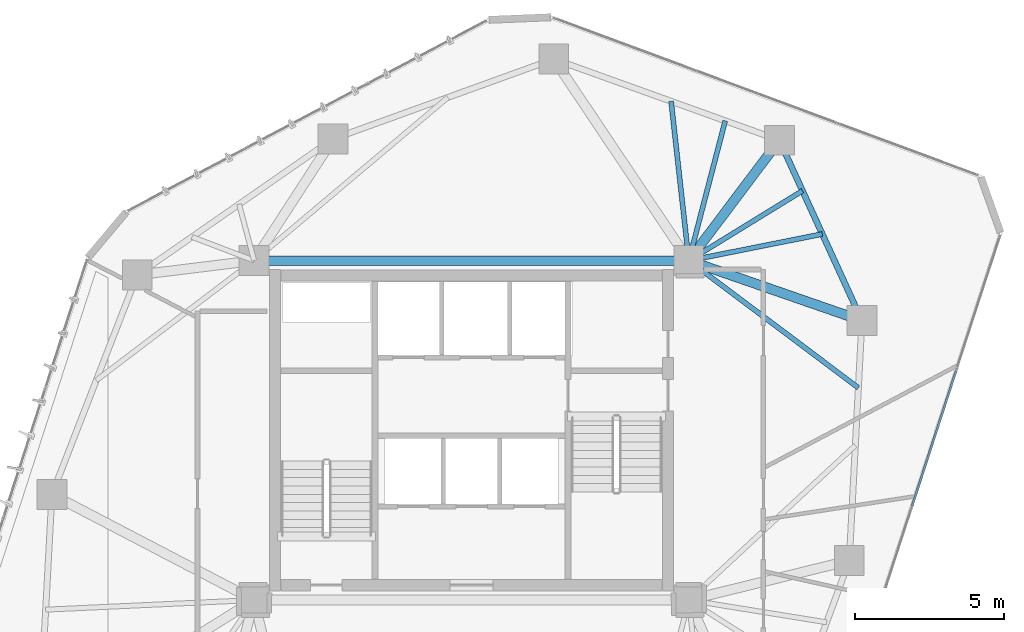
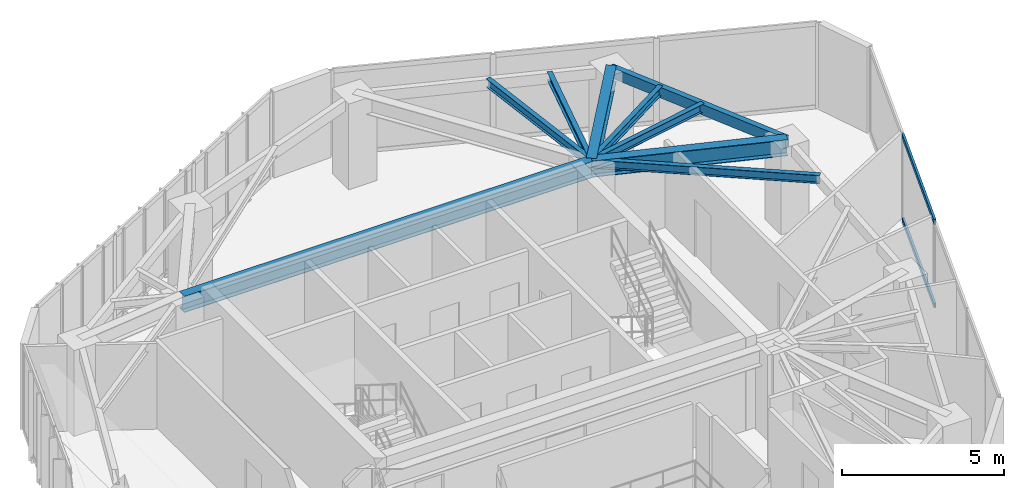
# One storey, part 11 of 19: 9 beams, 2 members, 1 element without a shape of its own.
"""IFC4 building model written with IfcOpenShell, lengths in metres."""

from ifc_helpers import new_model, si_unit, direction, frame, origin, origin_2d, place, context, subcontext, project, spatial, hollow_rectangle, i_section, extrude, source, transform, mapped, material, layer, layer_set, material_profile, profile_set, type_object, type_shapes, element, aggregate, save


model = new_model("IFC4")

# Units and contexts
model_context = context("Model", 3, precision=1e-05, world=origin(), true_north=direction((0.0, 1.0)))
body_context = subcontext(model_context, "Body", "Model", "MODEL_VIEW")
ifc_project = project(units=[si_unit("LENGTHUNIT", "METRE"), si_unit("AREAUNIT", "SQUARE_METRE"), si_unit("VOLUMEUNIT", "CUBIC_METRE"), si_unit("PLANEANGLEUNIT", "RADIAN"), si_unit("MASSUNIT", "GRAM", prefix="KILO")], contexts=[model_context])

# Site, building, storey
site_placement = place(None, origin())
site = spatial("IfcSite", under=ifc_project, at=site_placement, CompositionType="ELEMENT")
building_placement = place(site_placement, origin())
building = spatial("IfcBuilding", under=site, at=building_placement, Name="Talar Marvaseh", CompositionType="ELEMENT")
storey_placement = place(building_placement, frame((0.0, 0.0, 174.0)))
storey = spatial("IfcBuildingStorey", under=building, at=storey_placement, Name="L45", CompositionType="ELEMENT", Elevation=174.0)

# Beams
ifc_material_1 = material(Name="Steel S355", Category="steel")
ifc_material_profile_1 = material_profile(ifc_material_1, hollow_rectangle(XDim=0.199951171875, YDim=0.39990234375, WallThickness=0.013916015625, at=origin_2d()), Name="RHS400x200x14")
ifc_profile_set_1 = profile_set([ifc_material_profile_1], Name="Steel S355")
beam_type_1 = type_object("IfcBeamType", Name="Zone 3 Perimeter Spandrel Beam RHS400x200x14", PredefinedType="SPANDREL", material=ifc_profile_set_1)
beam_1_placement = place(storey_placement, frame((36.341064453125, 40.94189453125, 3.030029296875), z_axis=(0.416090570719, -0.909323175202, 0.0), x_axis=(0.909323175202, 0.416090570719, 0.0)))
element("IfcBeam", 1, at=beam_1_placement, inside=storey, type_object=beam_type_1, Name="L45 Zone 3 Perimeter Spandrel Beam RHS400x200x14", PredefinedType="SPANDREL", context=body_context, shape_type="SweptSolid", body=[
    extrude(hollow_rectangle(XDim=0.199951171875, YDim=0.39990234375, WallThickness=0.013916015625, at=origin_2d()), origin(), (0.0, 0.0, 1.0), 6.661865234375),
])
ifc_material_profile_2 = material_profile(ifc_material_1, i_section(OverallWidth=0.324951171875, OverallDepth=0.615966796875, WebThickness=0.013916015625, FlangeThickness=0.021484375, at=origin_2d()), Name="W610x174")
ifc_profile_set_2 = profile_set([ifc_material_profile_2], Name="Steel S355")
beam_type_2 = type_object("IfcBeamType", Name="Zone 3 Radial Floor Girder W610x174", PredefinedType="BEAM", material=ifc_profile_set_2)
beam_2_placement = place(storey_placement, frame((18.699951171875, 36.89990234375, 2.922119140625), z_axis=(1.0, 0.0, 0.0), x_axis=(0.0, 1.0, 0.0)))
element("IfcBeam", 2, at=beam_2_placement, inside=storey, type_object=beam_type_2, Name="L45 Zone 3 Radial Floor Girder W610x174", PredefinedType="BEAM", context=body_context, shape_type="SweptSolid", body=[
    extrude(i_section(OverallWidth=0.324951171875, OverallDepth=0.615966796875, WebThickness=0.013916015625, FlangeThickness=0.021484375, at=origin_2d()), origin(), (0.0, 0.0, 1.0), 14.60009765625),
])
beam_3_placement = place(storey_placement, frame((36.341064453125, 40.94189453125, 2.922119140625), z_axis=(-0.601204044541, -0.799095549247, 0.0), x_axis=(0.799095549247, -0.601204044541, 0.0)))
element("IfcBeam", 3, at=beam_3_placement, inside=storey, type_object=beam_type_2, Name="L45 Zone 3 Radial Floor Girder W610x174", PredefinedType="BEAM", context=body_context, shape_type="SweptSolid", body=[
    extrude(i_section(OverallWidth=0.324951171875, OverallDepth=0.615966796875, WebThickness=0.013916015625, FlangeThickness=0.021484375, at=origin_2d()), origin(), (0.0, 0.0, 1.0), 5.05810546875),
])
beam_4_placement = place(storey_placement, frame((39.113037109375, 34.884033203125, 2.922119140625), z_axis=(-0.94480098975, 0.327644761544, 0.0), x_axis=(-0.327644761544, -0.94480098975, 0.0)))
element("IfcBeam", 4, at=beam_4_placement, inside=storey, type_object=beam_type_2, Name="L45 Zone 3 Radial Floor Girder W610x174", PredefinedType="BEAM", context=body_context, shape_type="SweptSolid", body=[
    extrude(i_section(OverallWidth=0.324951171875, OverallDepth=0.615966796875, WebThickness=0.013916015625, FlangeThickness=0.021484375, at=origin_2d()), origin(), (0.0, 0.0, 1.0), 6.152587890625),
])
ifc_material_profile_3 = material_profile(ifc_material_1, i_section(OverallWidth=0.166015625, OverallDepth=0.31298828125, WebThickness=0.006591796875, FlangeThickness=0.01123046875, at=origin_2d()), Name="W310x45")
ifc_profile_set_3 = profile_set([ifc_material_profile_3], Name="Steel S355")
beam_type_3 = type_object("IfcBeamType", Name="Zone 3 Secondary Floor Joist W310x45", PredefinedType="JOIST", material=ifc_profile_set_3)
beam_5_placement = place(storey_placement, frame((32.705078125, 42.25048828125, 3.073486328125), z_axis=(0.110516140753, -0.993874329396, 0.0), x_axis=(0.993874329396, 0.110516140753, 0.0)))
element("IfcBeam", 5, at=beam_5_placement, inside=storey, type_object=beam_type_3, Name="L45 Zone 3 Secondary Floor Joist W310x45", PredefinedType="JOIST", context=body_context, shape_type="SweptSolid", body=[
    extrude(i_section(OverallWidth=0.166015625, OverallDepth=0.31298828125, WebThickness=0.006591796875, FlangeThickness=0.01123046875, at=origin_2d()), origin(), (0.0, 0.0, 1.0), 5.383544921875),
])
beam_6_placement = place(storey_placement, frame((34.52294921875, 41.59619140625, 3.073486328125), z_axis=(-0.251993851934, -0.967728835257, 0.0), x_axis=(0.967728835257, -0.251993851934, 0.0)))
element("IfcBeam", 6, at=beam_6_placement, inside=storey, type_object=beam_type_3, Name="L45 Zone 3 Secondary Floor Joist W310x45", PredefinedType="JOIST", context=body_context, shape_type="SweptSolid", body=[
    extrude(i_section(OverallWidth=0.166015625, OverallDepth=0.31298828125, WebThickness=0.006591796875, FlangeThickness=0.01123046875, at=origin_2d()), origin(), (0.0, 0.0, 1.0), 4.852783203125),
])
beam_7_placement = place(storey_placement, frame((37.1171875, 39.245849609375, 3.073486328125), z_axis=(-0.851963133725, -0.52360177499, 0.0), x_axis=(0.52360177499, -0.851963133725, 0.0)))
element("IfcBeam", 7, at=beam_7_placement, inside=storey, type_object=beam_type_3, Name="L45 Zone 3 Secondary Floor Joist W310x45", PredefinedType="JOIST", context=body_context, shape_type="SweptSolid", body=[
    extrude(i_section(OverallWidth=0.166015625, OverallDepth=0.31298828125, WebThickness=0.006591796875, FlangeThickness=0.01123046875, at=origin_2d()), origin(), (0.0, 0.0, 1.0), 4.48046875),
])
beam_8_placement = place(storey_placement, frame((37.782470703125, 37.791748046875, 3.073486328125), z_axis=(-0.980775375356, -0.195140111447, 0.0), x_axis=(0.195140111447, -0.980775375356, 0.0)))
element("IfcBeam", 8, at=beam_8_placement, inside=storey, type_object=beam_type_3, Name="L45 Zone 3 Secondary Floor Joist W310x45", PredefinedType="JOIST", context=body_context, shape_type="SweptSolid", body=[
    extrude(i_section(OverallWidth=0.166015625, OverallDepth=0.31298828125, WebThickness=0.006591796875, FlangeThickness=0.01123046875, at=origin_2d()), origin(), (0.0, 0.0, 1.0), 4.5703125),
])
beam_9_placement = place(storey_placement, frame((38.994384765625, 32.627197265625, 3.073486328125), z_axis=(-0.799868292589, 0.600175569739, 0.0), x_axis=(-0.600175569739, -0.799868292589, 0.0)))
element("IfcBeam", 9, at=beam_9_placement, inside=storey, type_object=beam_type_3, Name="L45 Zone 3 Secondary Floor Joist W310x45", PredefinedType="JOIST", context=body_context, shape_type="SweptSolid", body=[
    extrude(i_section(OverallWidth=0.166015625, OverallDepth=0.31298828125, WebThickness=0.006591796875, FlangeThickness=0.01123046875, at=origin_2d()), origin(), (0.0, 0.0, 1.0), 7.119140625),
])

# Curtain wall, members
ifc_material_2 = material(Name="Architectural Aluminium", Category="aluminium")
ifc_layer = layer(ifc_material_2, 0.18994140625)
ifc_layer_set = layer_set([ifc_layer], Name="Architectural Aluminium")
curtain_wall_type = type_object("IfcCurtainWallType", Name="Unitised Solar Atelier Curtain Wall Z3", PredefinedType="NOTDEFINED", material=ifc_layer_set)
curtain_wall_placement = place(storey_placement, origin())
curtain_wall = element("IfcCurtainWall", 10, at=curtain_wall_placement, inside=storey, type_object=curtain_wall_type, Name="L45 Unitised Solar Atelier Curtain Wall Z3", PredefinedType="NOTDEFINED")
ifc_material_profile_4 = material_profile(ifc_material_2, hollow_rectangle(XDim=0.074951171875, YDim=0.179931640625, WallThickness=0.0048828125, at=origin_2d()), Name="RHS180x75x5")
ifc_profile_set_4 = profile_set([ifc_material_profile_4], Name="Architectural Aluminium")
member_type = type_object("IfcMemberType", Name="Unitised Curtain Wall Transom RHS180x75x5", PredefinedType="USERDEFINED", material=ifc_profile_set_4)
shared_shape = source(origin(), body_context, "Body", "SweptSolid", [
    extrude(hollow_rectangle(XDim=0.074951171875, YDim=0.179931640625, WallThickness=0.0048828125, at=origin_2d()), origin(), (0.0, 0.0, 1.0), 4.7470703125),
])
type_shapes(member_type, [shared_shape])
member_1_placement = place(storey_placement, frame((42.270263671875, 33.179443359375, 0.03759765625), z_axis=(-0.309198873728, -0.950997400883, 0.0), x_axis=(0.950997400883, -0.309198873728, 0.0)))
member_1 = element("IfcMember", 11, at=member_1_placement, type_object=member_type, Name="CW-Z3 transom 2.1", ObjectType="TRANSOM", PredefinedType="USERDEFINED", context=body_context, shape_type="MappedRepresentation", body=[
    mapped(shared_shape, transform((0.0, 0.0, 0.0), x_axis=(1.0, 0.0, 0.0), y_axis=(0.0, 1.0, 0.0), z_axis=(0.0, 0.0, 1.0), scale=1.0)),
])
member_2_placement = place(storey_placement, frame((42.270263671875, 33.179443359375, 3.1923828125), z_axis=(-0.309198873728, -0.950997400883, 0.0), x_axis=(0.950997400883, -0.309198873728, 0.0)))
member_2 = element("IfcMember", 12, at=member_2_placement, type_object=member_type, Name="CW-Z3 transom 2.2", ObjectType="TRANSOM", PredefinedType="USERDEFINED", context=body_context, shape_type="MappedRepresentation", body=[
    mapped(shared_shape, transform((0.0, 0.0, 0.0), x_axis=(1.0, 0.0, 0.0), y_axis=(0.0, 1.0, 0.0), z_axis=(0.0, 0.0, 1.0), scale=1.0)),
])
aggregate(curtain_wall, [member_1, member_2])

save(model, "model.ifc")
